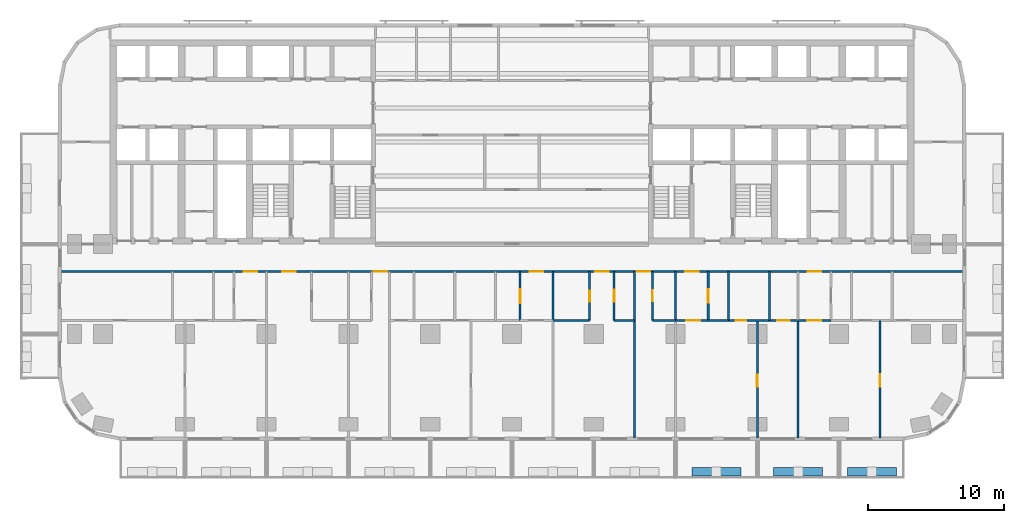
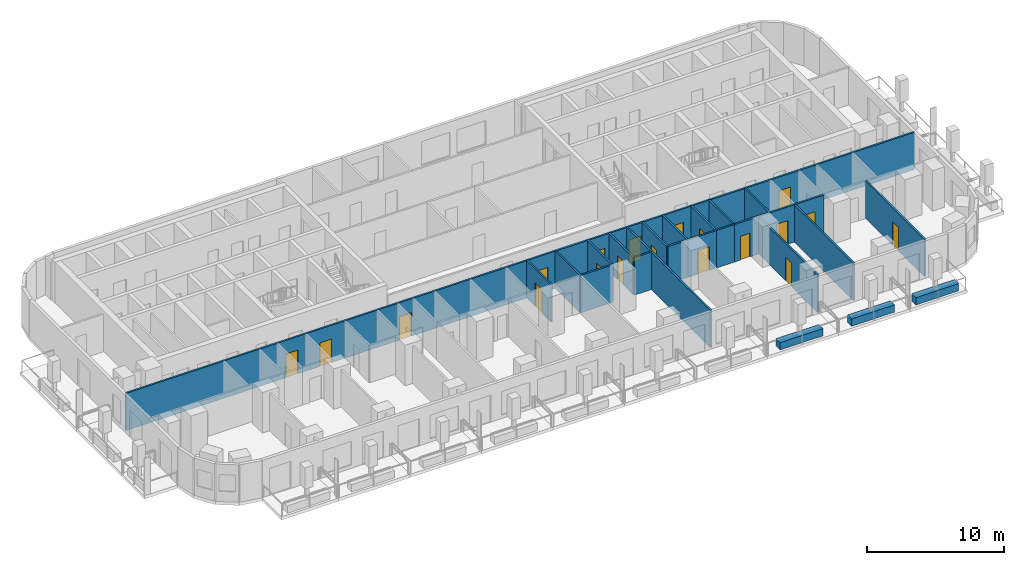
# One storey, part 6 of 15: 24 walls, 19 doors, 19 openings.
"""IFC4 building model written with IfcOpenShell, lengths in metres."""

from ifc_helpers import new_model, si_unit, direction, frame, frame_2d, origin, place, context, subcontext, project, spatial, rectangle, extrude, material, layer, layer_set, type_object, element, fill, save


model = new_model("IFC4")

# Units and contexts
model_context = context("Model", 3, precision=1e-05, world=origin(), true_north=direction((0.0, 1.0)))
body_context = subcontext(model_context, "Body", "Model", "MODEL_VIEW")
ifc_project = project(units=[si_unit("LENGTHUNIT", "METRE"), si_unit("AREAUNIT", "SQUARE_METRE"), si_unit("VOLUMEUNIT", "CUBIC_METRE"), si_unit("PLANEANGLEUNIT", "RADIAN"), si_unit("MASSUNIT", "GRAM", prefix="KILO")], contexts=[model_context])

# Site, building, storey
site_placement = place(None, origin())
site = spatial("IfcSite", under=ifc_project, at=site_placement, CompositionType="ELEMENT")
building_placement = place(site_placement, origin())
building = spatial("IfcBuilding", under=site, at=building_placement, Name="Torana Hotel and Residences", CompositionType="ELEMENT")
storey_placement = place(building_placement, frame((0.0, 0.0, 88.800048828125)))
storey = spatial("IfcBuildingStorey", under=building, at=storey_placement, Name="L22", CompositionType="ELEMENT", Elevation=88.800048828125)

# Wall, opening, door
ifc_material_1 = material(Name="Gypsum plaster")
ifc_layer_1 = layer(ifc_material_1, 0.014892578125, Name="Plaster", Category="finish")
ifc_material_2 = material(Name="Concrete blockwork", Category="masonry")
ifc_layer_2 = layer(ifc_material_2, 0.1201171875, Name="Blockwork", Category="structure")
ifc_layer_3 = layer(ifc_material_1, 0.014892578125, Name="Plaster", Category="finish")
ifc_layer_set_1 = layer_set([ifc_layer_1, ifc_layer_2, ifc_layer_3], Name="FIRE PARTITION 150 BLOCKWORK")
wall_type_1 = type_object("IfcWallType", Name="FIRE PARTITION 150 BLOCKWORK", PredefinedType="PARTITIONING", material=ifc_layer_set_1)
wall_1_placement = place(storey_placement, frame((14.39990234375, -20.60009765625, 0.0), z_axis=(0.0, 0.0, 1.0), x_axis=(0.0, 1.0, 0.0)))
wall_1 = element("IfcWall", 1, at=wall_1_placement, inside=storey, type_object=wall_type_1, Name="Partition L22", PredefinedType="PARTITIONING", context=body_context, shape_type="SweptSolid", body=[
    extrude(rectangle(XDim=3.60009765625, YDim=0.14990234375, at=frame_2d((1.800048828125, 0.0))), origin(), (0.0, 0.0, 1.0), 3.320068359375),
])
opening_1_placement = place(wall_1_placement, frame((1.300048828125, 0.0, 0.0)))
opening_1 = element("IfcOpeningElement", 2, at=opening_1_placement, cuts=wall_1, Name="Opening L22-69", PredefinedType="OPENING", context=body_context, shape_type="SweptSolid", body=[
    extrude(rectangle(XDim=1.0, YDim=2.10009765625, at=frame_2d((0.5, 1.050048828125))), frame((0.0, 0.0849609375, 0.0), z_axis=(0.0, -1.0, 0.0), x_axis=(1.0, 0.0, 0.0)), (0.0, 0.0, 1.0), 0.169921875),
])
ifc_material_3 = material(Name="Steel S235", Category="steel")
door_type_1 = type_object("IfcDoorType", Name="ENTRY FIRE DOOR D6 1000x2100", OperationType="SINGLE_SWING_LEFT", PredefinedType="DOOR", material=ifc_material_3)
door_1_placement = place(opening_1_placement, frame((0.5, 0.0, 0.0), z_axis=(0.0, 0.0, 1.0), x_axis=(-1.0, 0.0, 0.0)))
door_1 = element("IfcDoor", 3, at=door_1_placement, inside=storey, type_object=door_type_1, Name="Door L22", OperationType="SINGLE_SWING_LEFT", OverallHeight=2.10009765625, OverallWidth=1.0, PredefinedType="DOOR", context=body_context, shape_type="SweptSolid", body=[
    extrude(rectangle(XDim=1.0, YDim=2.10009765625, at=frame_2d((0.0, 1.050048828125))), frame((0.0, -0.02490234375, 0.0), z_axis=(0.0, 1.0, 0.0), x_axis=(-1.0, 0.0, 0.0)), (0.0, 0.0, 1.0), 0.050048828125),
])
fill(opening_1, door_1)

# Walls
for number, where, z_axis, x_axis, name in (
    (4, (12.0, -20.60009765625, 0.0), (0.0, 0.0, 1.0), (0.0, 1.0, 0.0), "Partition L22"),
    (5, (3.0, -20.60009765625, 0.0), (0.0, 0.0, 1.0), (0.0, 1.0, 0.0), "Partition L22"),
):
    element("IfcWall", number, at=place(storey_placement, frame(where, z_axis=z_axis, x_axis=x_axis)), inside=storey, type_object=wall_type_1, Name=name, PredefinedType="PARTITIONING", context=body_context, shape_type="SweptSolid", body=[
        extrude(rectangle(XDim=3.60009765625, YDim=0.14990234375, at=frame_2d((1.800048828125, 0.0))), origin(), (0.0, 0.0, 1.0), 3.320068359375),
    ])

# Wall, opening, door
wall_2_placement = place(storey_placement, frame((0.60009765625, -20.60009765625, 0.0), z_axis=(0.0, 0.0, 1.0), x_axis=(0.0, 1.0, 0.0)))
wall_2 = element("IfcWall", 6, at=wall_2_placement, inside=storey, type_object=wall_type_1, Name="Partition L22", PredefinedType="PARTITIONING", context=body_context, shape_type="SweptSolid", body=[
    extrude(rectangle(XDim=3.60009765625, YDim=0.14990234375, at=frame_2d((1.800048828125, 0.0))), origin(), (0.0, 0.0, 1.0), 3.320068359375),
])
opening_2_placement = place(wall_2_placement, frame((1.280029296875, 0.0, 0.0)))
opening_2 = element("IfcOpeningElement", 7, at=opening_2_placement, cuts=wall_2, Name="Opening L22-63", PredefinedType="OPENING", context=body_context, shape_type="SweptSolid", body=[
    extrude(rectangle(XDim=1.0, YDim=2.10009765625, at=frame_2d((0.5, 1.050048828125))), frame((0.0, 0.0849609375, 0.0), z_axis=(0.0, -1.0, 0.0), x_axis=(1.0, 0.0, 0.0)), (0.0, 0.0, 1.0), 0.169921875),
])
door_2_placement = place(opening_2_placement, origin())
door_2 = element("IfcDoor", 8, at=door_2_placement, inside=storey, type_object=door_type_1, Name="Door L22", OperationType="SINGLE_SWING_RIGHT", OverallHeight=2.10009765625, OverallWidth=1.0, PredefinedType="DOOR", context=body_context, shape_type="SweptSolid", body=[
    extrude(rectangle(XDim=1.0, YDim=2.10009765625, at=frame_2d((0.5, 1.050048828125))), frame((0.0, 0.02490234375, 0.0), z_axis=(0.0, -1.0, 0.0), x_axis=(1.0, 0.0, 0.0)), (0.0, 0.0, 1.0), 0.050048828125),
])
fill(opening_2, door_2)

wall_3_placement = place(storey_placement, frame((12.0, -20.60009765625, 0.0), z_axis=(0.0, 0.0, 1.0), x_axis=(1.0, 0.0, 0.0)))
wall_3 = element("IfcWall", 9, at=wall_3_placement, inside=storey, type_object=wall_type_1, Name="Partition L22", PredefinedType="PARTITIONING", context=body_context, shape_type="SweptSolid", body=[
    extrude(rectangle(XDim=2.39990234375, YDim=0.14990234375, at=frame_2d((1.199951171875, 0.0))), origin(), (0.0, 0.0, 1.0), 3.320068359375),
])
opening_3_placement = place(wall_3_placement, frame((0.800048828125, 0.0, 0.0)))
opening_3 = element("IfcOpeningElement", 10, at=opening_3_placement, cuts=wall_3, Name="Opening L22-70", PredefinedType="OPENING", context=body_context, shape_type="SweptSolid", body=[
    extrude(rectangle(XDim=1.0, YDim=2.10009765625, at=frame_2d((0.5, 1.050048828125))), frame((0.0, 0.0849609375, 0.0), z_axis=(0.0, -1.0, 0.0), x_axis=(1.0, 0.0, 0.0)), (0.0, 0.0, 1.0), 0.169921875),
])
door_3_placement = place(opening_3_placement, frame((0.5, 0.0, 0.0), z_axis=(0.0, 0.0, 1.0), x_axis=(-1.0, 0.0, 0.0)))
door_3 = element("IfcDoor", 11, at=door_3_placement, inside=storey, type_object=door_type_1, Name="Door L22", OperationType="SINGLE_SWING_LEFT", OverallHeight=2.10009765625, OverallWidth=1.0, PredefinedType="DOOR", context=body_context, shape_type="SweptSolid", body=[
    extrude(rectangle(XDim=1.0, YDim=2.10009765625, at=frame_2d((0.0, 1.050048828125))), frame((0.0, -0.02490234375, 0.0), z_axis=(0.0, 1.0, 0.0), x_axis=(-1.0, 0.0, 0.0)), (0.0, 0.0, 1.0), 0.050048828125),
])
fill(opening_3, door_3)

wall_4_placement = place(storey_placement, frame((21.0, -20.60009765625, 0.0), z_axis=(0.0, 0.0, 1.0), x_axis=(1.0, 0.0, 0.0)))
wall_4 = element("IfcWall", 12, at=wall_4_placement, inside=storey, type_object=wall_type_1, Name="Partition L22", PredefinedType="PARTITIONING", context=body_context, shape_type="SweptSolid", body=[
    extrude(rectangle(XDim=2.39990234375, YDim=0.14990234375, at=frame_2d((1.199951171875, 0.0))), origin(), (0.0, 0.0, 1.0), 3.320068359375),
])
opening_4_placement = place(wall_4_placement, frame((0.679931640625, 0.0, 0.0)))
opening_4 = element("IfcOpeningElement", 13, at=opening_4_placement, cuts=wall_4, Name="Opening L22-80", PredefinedType="OPENING", context=body_context, shape_type="SweptSolid", body=[
    extrude(rectangle(XDim=1.0, YDim=2.10009765625, at=frame_2d((0.5, 1.050048828125))), frame((0.0, 0.0849609375, 0.0), z_axis=(0.0, -1.0, 0.0), x_axis=(1.0, 0.0, 0.0)), (0.0, 0.0, 1.0), 0.169921875),
])
door_4_placement = place(opening_4_placement, frame((0.5, 0.0, 0.0), z_axis=(0.0, 0.0, 1.0), x_axis=(-1.0, 0.0, 0.0)))
door_4 = element("IfcDoor", 14, at=door_4_placement, inside=storey, type_object=door_type_1, Name="Door L22", OperationType="SINGLE_SWING_LEFT", OverallHeight=2.10009765625, OverallWidth=1.0, PredefinedType="DOOR", context=body_context, shape_type="SweptSolid", body=[
    extrude(rectangle(XDim=1.0, YDim=2.10009765625, at=frame_2d((0.0, 1.050048828125))), frame((0.0, -0.02490234375, 0.0), z_axis=(0.0, 1.0, 0.0), x_axis=(-1.0, 0.0, 0.0)), (0.0, 0.0, 1.0), 0.050048828125),
])
fill(opening_4, door_4)

# Wall, openings, doors
wall_5_placement = place(storey_placement, frame((-33.1201171875, -17.0, 0.0), z_axis=(0.0, 0.0, 1.0), x_axis=(1.0, 0.0, 0.0)))
wall_5 = element("IfcWall", 15, at=wall_5_placement, inside=storey, type_object=wall_type_1, Name="Partition L22", PredefinedType="PARTITIONING", context=body_context, shape_type="SweptSolid", body=[
    extrude(rectangle(XDim=66.240234375, YDim=0.14990234375, at=frame_2d((33.1201171875, 0.0))), origin(), (0.0, 0.0, 1.0), 3.320068359375),
])
opening_5_placement = place(wall_5_placement, frame((16.27001953125, 0.0, 0.0)))
opening_5 = element("IfcOpeningElement", 16, at=opening_5_placement, cuts=wall_5, Name="Opening L22-40", PredefinedType="OPENING", context=body_context, shape_type="SweptSolid", body=[
    extrude(rectangle(XDim=1.0, YDim=2.10009765625, at=frame_2d((0.5, 1.050048828125))), frame((0.0, 0.0849609375, 0.0), z_axis=(0.0, -1.0, 0.0), x_axis=(1.0, 0.0, 0.0)), (0.0, 0.0, 1.0), 0.169921875),
])
opening_6_placement = place(wall_5_placement, frame((22.969970703125, 0.0, 0.0)))
opening_6 = element("IfcOpeningElement", 17, at=opening_6_placement, cuts=wall_5, Name="Opening L22-41", PredefinedType="OPENING", context=body_context, shape_type="SweptSolid", body=[
    extrude(rectangle(XDim=1.0, YDim=2.10009765625, at=frame_2d((0.5, 1.050048828125))), frame((0.0, 0.0849609375, 0.0), z_axis=(0.0, -1.0, 0.0), x_axis=(1.0, 0.0, 0.0)), (0.0, 0.0, 1.0), 0.169921875),
])
opening_7_placement = place(wall_5_placement, frame((34.419921875, 0.0, 0.0)))
opening_7 = element("IfcOpeningElement", 18, at=opening_7_placement, cuts=wall_5, Name="Opening L22-42", PredefinedType="OPENING", context=body_context, shape_type="SweptSolid", body=[
    extrude(rectangle(XDim=1.0, YDim=2.10009765625, at=frame_2d((0.5, 1.050048828125))), frame((0.0, 0.0849609375, 0.0), z_axis=(0.0, -1.0, 0.0), x_axis=(1.0, 0.0, 0.0)), (0.0, 0.0, 1.0), 0.169921875),
])
opening_8_placement = place(wall_5_placement, frame((39.219970703125, 0.0, 0.0)))
opening_8 = element("IfcOpeningElement", 19, at=opening_8_placement, cuts=wall_5, Name="Opening L22-43", PredefinedType="OPENING", context=body_context, shape_type="SweptSolid", body=[
    extrude(rectangle(XDim=1.0, YDim=2.10009765625, at=frame_2d((0.5, 1.050048828125))), frame((0.0, 0.0849609375, 0.0), z_axis=(0.0, -1.0, 0.0), x_axis=(1.0, 0.0, 0.0)), (0.0, 0.0, 1.0), 0.169921875),
])
opening_9_placement = place(wall_5_placement, frame((42.27001953125, 0.0, 0.0)))
opening_9 = element("IfcOpeningElement", 20, at=opening_9_placement, cuts=wall_5, Name="Opening L22-44", PredefinedType="OPENING", context=body_context, shape_type="SweptSolid", body=[
    extrude(rectangle(XDim=1.0, YDim=2.10009765625, at=frame_2d((0.5, 1.050048828125))), frame((0.0, 0.0849609375, 0.0), z_axis=(0.0, -1.0, 0.0), x_axis=(1.0, 0.0, 0.0)), (0.0, 0.0, 1.0), 0.169921875),
])
opening_10_placement = place(wall_5_placement, frame((45.820068359375, 0.0, 0.0)))
opening_10 = element("IfcOpeningElement", 21, at=opening_10_placement, cuts=wall_5, Name="Opening L22-45", PredefinedType="OPENING", context=body_context, shape_type="SweptSolid", body=[
    extrude(rectangle(XDim=1.0, YDim=2.10009765625, at=frame_2d((0.5, 1.050048828125))), frame((0.0, 0.0849609375, 0.0), z_axis=(0.0, -1.0, 0.0), x_axis=(1.0, 0.0, 0.0)), (0.0, 0.0, 1.0), 0.169921875),
])
opening_11_placement = place(wall_5_placement, frame((13.419921875, 0.0, 0.0)))
opening_11 = element("IfcOpeningElement", 22, at=opening_11_placement, cuts=wall_5, Name="Opening L22-46", PredefinedType="OPENING", context=body_context, shape_type="SweptSolid", body=[
    extrude(rectangle(XDim=1.0, YDim=2.10009765625, at=frame_2d((0.5, 1.050048828125))), frame((0.0, 0.0849609375, 0.0), z_axis=(0.0, -1.0, 0.0), x_axis=(1.0, 0.0, 0.0)), (0.0, 0.0, 1.0), 0.169921875),
])
opening_12_placement = place(wall_5_placement, frame((54.820068359375, 0.0, 0.0)))
opening_12 = element("IfcOpeningElement", 23, at=opening_12_placement, cuts=wall_5, Name="Opening L22-47", PredefinedType="OPENING", context=body_context, shape_type="SweptSolid", body=[
    extrude(rectangle(XDim=1.0, YDim=2.10009765625, at=frame_2d((0.5, 1.050048828125))), frame((0.0, 0.0849609375, 0.0), z_axis=(0.0, -1.0, 0.0), x_axis=(1.0, 0.0, 0.0)), (0.0, 0.0, 1.0), 0.169921875),
])
door_5_placement = place(opening_5_placement, frame((0.5, 0.0, 0.0), z_axis=(0.0, 0.0, 1.0), x_axis=(-1.0, 0.0, 0.0)))
door_5 = element("IfcDoor", 24, at=door_5_placement, inside=storey, type_object=door_type_1, Name="Door L22", OperationType="SINGLE_SWING_LEFT", OverallHeight=2.10009765625, OverallWidth=1.0, PredefinedType="DOOR", context=body_context, shape_type="SweptSolid", body=[
    extrude(rectangle(XDim=1.0, YDim=2.10009765625, at=frame_2d((0.0, 1.050048828125))), frame((0.0, -0.02490234375, 0.0), z_axis=(0.0, 1.0, 0.0), x_axis=(-1.0, 0.0, 0.0)), (0.0, 0.0, 1.0), 0.050048828125),
])
fill(opening_5, door_5)
door_6_placement = place(opening_6_placement, frame((0.5, 0.0, 0.0), z_axis=(0.0, 0.0, 1.0), x_axis=(-1.0, 0.0, 0.0)))
door_6 = element("IfcDoor", 25, at=door_6_placement, inside=storey, type_object=door_type_1, Name="Door L22", OperationType="SINGLE_SWING_LEFT", OverallHeight=2.10009765625, OverallWidth=1.0, PredefinedType="DOOR", context=body_context, shape_type="SweptSolid", body=[
    extrude(rectangle(XDim=1.0, YDim=2.10009765625, at=frame_2d((0.0, 1.050048828125))), frame((0.0, -0.02490234375, 0.0), z_axis=(0.0, 1.0, 0.0), x_axis=(-1.0, 0.0, 0.0)), (0.0, 0.0, 1.0), 0.050048828125),
])
fill(opening_6, door_6)
door_7_placement = place(opening_7_placement, origin())
door_7 = element("IfcDoor", 26, at=door_7_placement, inside=storey, type_object=door_type_1, Name="Door L22", OperationType="SINGLE_SWING_RIGHT", OverallHeight=2.10009765625, OverallWidth=1.0, PredefinedType="DOOR", context=body_context, shape_type="SweptSolid", body=[
    extrude(rectangle(XDim=1.0, YDim=2.10009765625, at=frame_2d((0.5, 1.050048828125))), frame((0.0, 0.02490234375, 0.0), z_axis=(0.0, -1.0, 0.0), x_axis=(1.0, 0.0, 0.0)), (0.0, 0.0, 1.0), 0.050048828125),
])
fill(opening_7, door_7)
door_8_placement = place(opening_8_placement, frame((0.5, 0.0, 0.0), z_axis=(0.0, 0.0, 1.0), x_axis=(-1.0, 0.0, 0.0)))
door_8 = element("IfcDoor", 27, at=door_8_placement, inside=storey, type_object=door_type_1, Name="Door L22", OperationType="SINGLE_SWING_LEFT", OverallHeight=2.10009765625, OverallWidth=1.0, PredefinedType="DOOR", context=body_context, shape_type="SweptSolid", body=[
    extrude(rectangle(XDim=1.0, YDim=2.10009765625, at=frame_2d((0.0, 1.050048828125))), frame((0.0, -0.02490234375, 0.0), z_axis=(0.0, 1.0, 0.0), x_axis=(-1.0, 0.0, 0.0)), (0.0, 0.0, 1.0), 0.050048828125),
])
fill(opening_8, door_8)
door_9_placement = place(opening_9_placement, frame((0.5, 0.0, 0.0), z_axis=(0.0, 0.0, 1.0), x_axis=(-1.0, 0.0, 0.0)))
door_9 = element("IfcDoor", 28, at=door_9_placement, inside=storey, type_object=door_type_1, Name="Door L22", OperationType="SINGLE_SWING_LEFT", OverallHeight=2.10009765625, OverallWidth=1.0, PredefinedType="DOOR", context=body_context, shape_type="SweptSolid", body=[
    extrude(rectangle(XDim=1.0, YDim=2.10009765625, at=frame_2d((0.0, 1.050048828125))), frame((0.0, -0.02490234375, 0.0), z_axis=(0.0, 1.0, 0.0), x_axis=(-1.0, 0.0, 0.0)), (0.0, 0.0, 1.0), 0.050048828125),
])
fill(opening_9, door_9)
door_10_placement = place(opening_10_placement, origin())
door_10 = element("IfcDoor", 29, at=door_10_placement, inside=storey, type_object=door_type_1, Name="Door L22", OperationType="SINGLE_SWING_RIGHT", OverallHeight=2.10009765625, OverallWidth=1.0, PredefinedType="DOOR", context=body_context, shape_type="SweptSolid", body=[
    extrude(rectangle(XDim=1.0, YDim=2.10009765625, at=frame_2d((0.5, 1.050048828125))), frame((0.0, 0.02490234375, 0.0), z_axis=(0.0, -1.0, 0.0), x_axis=(1.0, 0.0, 0.0)), (0.0, 0.0, 1.0), 0.050048828125),
])
fill(opening_10, door_10)
door_11_placement = place(opening_11_placement, origin())
door_11 = element("IfcDoor", 30, at=door_11_placement, inside=storey, type_object=door_type_1, Name="Door L22", OperationType="SINGLE_SWING_RIGHT", OverallHeight=2.10009765625, OverallWidth=1.0, PredefinedType="DOOR", context=body_context, shape_type="SweptSolid", body=[
    extrude(rectangle(XDim=1.0, YDim=2.10009765625, at=frame_2d((0.5, 1.050048828125))), frame((0.0, 0.02490234375, 0.0), z_axis=(0.0, -1.0, 0.0), x_axis=(1.0, 0.0, 0.0)), (0.0, 0.0, 1.0), 0.050048828125),
])
fill(opening_11, door_11)
door_12_placement = place(opening_12_placement, origin())
door_12 = element("IfcDoor", 31, at=door_12_placement, inside=storey, type_object=door_type_1, Name="Door L22", OperationType="SINGLE_SWING_RIGHT", OverallHeight=2.10009765625, OverallWidth=1.0, PredefinedType="DOOR", context=body_context, shape_type="SweptSolid", body=[
    extrude(rectangle(XDim=1.0, YDim=2.10009765625, at=frame_2d((0.5, 1.050048828125))), frame((0.0, 0.02490234375, 0.0), z_axis=(0.0, -1.0, 0.0), x_axis=(1.0, 0.0, 0.0)), (0.0, 0.0, 1.0), 0.050048828125),
])
fill(opening_12, door_12)

# Wall, opening, door
ifc_material_4 = material(Name="Gypsum plasterboard")
ifc_layer_4 = layer(ifc_material_4, 0.012451171875, Name="Plasterboard", Category="finish")
ifc_layer_5 = layer(ifc_material_4, 0.012451171875, Name="Plasterboard", Category="finish")
ifc_material_5 = material(Name="Steel S280GD", Category="steel")
ifc_layer_6 = layer(ifc_material_5, 0.10009765625, Name="Steel studs with mineral wool", Category="insulation")
ifc_layer_7 = layer(ifc_material_4, 0.012451171875, Name="Plasterboard", Category="finish")
ifc_layer_8 = layer(ifc_material_4, 0.012451171875, Name="Plasterboard", Category="finish")
ifc_layer_set_2 = layer_set([ifc_layer_4, ifc_layer_5, ifc_layer_6, ifc_layer_7, ifc_layer_8], Name="PARTITION 150 PLASTERBOARD")
wall_type_2 = type_object("IfcWallType", Name="PARTITION 150 PLASTERBOARD", PredefinedType="PARTITIONING", material=ifc_layer_set_2)
wall_6_placement = place(storey_placement, frame((27.0, -29.219970703125, 0.0), z_axis=(0.0, 0.0, 1.0), x_axis=(0.0, 1.0, 0.0)))
wall_6 = element("IfcWall", 32, at=wall_6_placement, inside=storey, type_object=wall_type_2, Name="Partition L22", PredefinedType="PARTITIONING", context=body_context, shape_type="SweptSolid", body=[
    extrude(rectangle(XDim=8.619873046875, YDim=0.14990234375, at=frame_2d((4.31005859375, 0.0))), origin(), (0.0, 0.0, 1.0), 3.320068359375),
])
opening_13_placement = place(wall_6_placement, frame((3.77001953125, 0.0, 0.0)))
opening_13 = element("IfcOpeningElement", 33, at=opening_13_placement, cuts=wall_6, Name="Opening L22-83", PredefinedType="OPENING", context=body_context, shape_type="SweptSolid", body=[
    extrude(rectangle(XDim=0.89990234375, YDim=2.10009765625, at=frame_2d((0.449951171875, 1.050048828125))), frame((0.0, 0.0849609375, 0.0), z_axis=(0.0, -1.0, 0.0), x_axis=(1.0, 0.0, 0.0)), (0.0, 0.0, 1.0), 0.169921875),
])
ifc_material_6 = material(Name="Timber door, oiled ash", Category="wood")
door_type_2 = type_object("IfcDoorType", Name="ROOM DOOR D7 900x2100", OperationType="SINGLE_SWING_LEFT", PredefinedType="DOOR", material=ifc_material_6)
door_13_placement = place(opening_13_placement, origin())
door_13 = element("IfcDoor", 34, at=door_13_placement, inside=storey, type_object=door_type_2, Name="Door L22", OperationType="SINGLE_SWING_RIGHT", OverallHeight=2.10009765625, OverallWidth=0.89990234375, PredefinedType="DOOR", context=body_context, shape_type="SweptSolid", body=[
    extrude(rectangle(XDim=0.89990234375, YDim=2.10009765625, at=frame_2d((0.449951171875, 1.050048828125))), frame((0.0, 0.02490234375, 0.0), z_axis=(0.0, -1.0, 0.0), x_axis=(1.0, 0.0, 0.0)), (0.0, 0.0, 1.0), 0.050048828125),
])
fill(opening_13, door_13)

# Walls
wall_7_placement = place(storey_placement, frame((21.0, -29.219970703125, 0.0), z_axis=(0.0, 0.0, 1.0), x_axis=(0.0, 1.0, 0.0)))
element("IfcWall", 35, at=wall_7_placement, inside=storey, type_object=wall_type_2, Name="Partition L22", PredefinedType="PARTITIONING", context=body_context, shape_type="SweptSolid", body=[
    extrude(rectangle(XDim=8.619873046875, YDim=0.14990234375, at=frame_2d((4.31005859375, 0.0))), origin(), (0.0, 0.0, 1.0), 3.320068359375),
])
wall_8_placement = place(storey_placement, frame((18.89990234375, -20.60009765625, 0.0), z_axis=(0.0, 0.0, 1.0), x_axis=(0.0, 1.0, 0.0)))
element("IfcWall", 36, at=wall_8_placement, inside=storey, type_object=wall_type_2, Name="Partition L22", PredefinedType="PARTITIONING", context=body_context, shape_type="SweptSolid", body=[
    extrude(rectangle(XDim=3.60009765625, YDim=0.14990234375, at=frame_2d((1.800048828125, 0.0))), origin(), (0.0, 0.0, 1.0), 3.320068359375),
])

# Wall, opening, door
wall_9_placement = place(storey_placement, frame((18.0, -29.219970703125, 0.0), z_axis=(0.0, 0.0, 1.0), x_axis=(0.0, 1.0, 0.0)))
wall_9 = element("IfcWall", 37, at=wall_9_placement, inside=storey, type_object=wall_type_2, Name="Partition L22", PredefinedType="PARTITIONING", context=body_context, shape_type="SweptSolid", body=[
    extrude(rectangle(XDim=8.619873046875, YDim=0.14990234375, at=frame_2d((4.31005859375, 0.0))), origin(), (0.0, 0.0, 1.0), 3.320068359375),
])
opening_14_placement = place(wall_9_placement, frame((3.75, 0.0, 0.0)))
opening_14 = element("IfcOpeningElement", 38, at=opening_14_placement, cuts=wall_9, Name="Opening L22-73", PredefinedType="OPENING", context=body_context, shape_type="SweptSolid", body=[
    extrude(rectangle(XDim=0.89990234375, YDim=2.10009765625, at=frame_2d((0.449951171875, 1.050048828125))), frame((0.0, 0.0849609375, 0.0), z_axis=(0.0, -1.0, 0.0), x_axis=(1.0, 0.0, 0.0)), (0.0, 0.0, 1.0), 0.169921875),
])
door_14_placement = place(opening_14_placement, origin())
door_14 = element("IfcDoor", 39, at=door_14_placement, inside=storey, type_object=door_type_2, Name="Door L22", OperationType="SINGLE_SWING_RIGHT", OverallHeight=2.10009765625, OverallWidth=0.89990234375, PredefinedType="DOOR", context=body_context, shape_type="SweptSolid", body=[
    extrude(rectangle(XDim=0.89990234375, YDim=2.10009765625, at=frame_2d((0.449951171875, 1.050048828125))), frame((0.0, 0.02490234375, 0.0), z_axis=(0.0, -1.0, 0.0), x_axis=(1.0, 0.0, 0.0)), (0.0, 0.0, 1.0), 0.050048828125),
])
fill(opening_14, door_14)

wall_10_placement = place(storey_placement, frame((10.300048828125, -20.60009765625, 0.0), z_axis=(0.0, 0.0, 1.0), x_axis=(0.0, 1.0, 0.0)))
wall_10 = element("IfcWall", 40, at=wall_10_placement, inside=storey, type_object=wall_type_2, Name="Partition L22", PredefinedType="PARTITIONING", context=body_context, shape_type="SweptSolid", body=[
    extrude(rectangle(XDim=3.60009765625, YDim=0.14990234375, at=frame_2d((1.800048828125, 0.0))), origin(), (0.0, 0.0, 1.0), 3.320068359375),
])
opening_15_placement = place(wall_10_placement, frame((1.419921875, 0.0, 0.0)))
opening_15 = element("IfcOpeningElement", 41, at=opening_15_placement, cuts=wall_10, Name="Opening L22-68", PredefinedType="OPENING", context=body_context, shape_type="SweptSolid", body=[
    extrude(rectangle(XDim=0.800048828125, YDim=2.10009765625, at=frame_2d((0.39990234375, 1.050048828125))), frame((0.0, 0.0849609375, 0.0), z_axis=(0.0, -1.0, 0.0), x_axis=(1.0, 0.0, 0.0)), (0.0, 0.0, 1.0), 0.169921875),
])
ifc_material_7 = material(Name="Timber door, painted", Category="wood")
door_type_3 = type_object("IfcDoorType", Name="BATH DOOR D13 800x2100", OperationType="SINGLE_SWING_LEFT", PredefinedType="DOOR", material=ifc_material_7)
door_15_placement = place(opening_15_placement, origin())
door_15 = element("IfcDoor", 42, at=door_15_placement, inside=storey, type_object=door_type_3, Name="Door L22", OperationType="SINGLE_SWING_LEFT", OverallHeight=2.10009765625, OverallWidth=0.800048828125, PredefinedType="DOOR", context=body_context, shape_type="SweptSolid", body=[
    extrude(rectangle(XDim=0.800048828125, YDim=2.10009765625, at=frame_2d((0.39990234375, 1.050048828125))), frame((0.0, 0.02490234375, 0.0), z_axis=(0.0, -1.0, 0.0), x_axis=(1.0, 0.0, 0.0)), (0.0, 0.0, 1.0), 0.050048828125),
])
fill(opening_15, door_15)

# Wall
wall_11_placement = place(storey_placement, frame((9.0, -29.219970703125, 0.0), z_axis=(0.0, 0.0, 1.0), x_axis=(0.0, 1.0, 0.0)))
element("IfcWall", 43, at=wall_11_placement, inside=storey, type_object=wall_type_2, Name="Partition L22", PredefinedType="PARTITIONING", context=body_context, shape_type="SweptSolid", body=[
    extrude(rectangle(XDim=12.219970703125, YDim=0.14990234375, at=frame_2d((6.10986328125, 0.0))), origin(), (0.0, 0.0, 1.0), 3.320068359375),
])

# Wall, opening, door
wall_12_placement = place(storey_placement, frame((7.5, -20.60009765625, 0.0), z_axis=(0.0, 0.0, 1.0), x_axis=(0.0, 1.0, 0.0)))
wall_12 = element("IfcWall", 44, at=wall_12_placement, inside=storey, type_object=wall_type_2, Name="Partition L22", PredefinedType="PARTITIONING", context=body_context, shape_type="SweptSolid", body=[
    extrude(rectangle(XDim=3.60009765625, YDim=0.14990234375, at=frame_2d((1.800048828125, 0.0))), origin(), (0.0, 0.0, 1.0), 3.320068359375),
])
opening_16_placement = place(wall_12_placement, frame((1.3701171875, 0.0, 0.0)))
opening_16 = element("IfcOpeningElement", 45, at=opening_16_placement, cuts=wall_12, Name="Opening L22-67", PredefinedType="OPENING", context=body_context, shape_type="SweptSolid", body=[
    extrude(rectangle(XDim=0.89990234375, YDim=2.10009765625, at=frame_2d((0.449951171875, 1.050048828125))), frame((0.0, 0.0849609375, 0.0), z_axis=(0.0, -1.0, 0.0), x_axis=(1.0, 0.0, 0.0)), (0.0, 0.0, 1.0), 0.169921875),
])
door_16_placement = place(opening_16_placement, origin())
door_16 = element("IfcDoor", 46, at=door_16_placement, inside=storey, type_object=door_type_2, Name="Door L22", OperationType="SINGLE_SWING_LEFT", OverallHeight=2.10009765625, OverallWidth=0.89990234375, PredefinedType="DOOR", context=body_context, shape_type="SweptSolid", body=[
    extrude(rectangle(XDim=0.89990234375, YDim=2.10009765625, at=frame_2d((0.449951171875, 1.050048828125))), frame((0.0, 0.02490234375, 0.0), z_axis=(0.0, -1.0, 0.0), x_axis=(1.0, 0.0, 0.0)), (0.0, 0.0, 1.0), 0.050048828125),
])
fill(opening_16, door_16)

wall_13_placement = place(storey_placement, frame((5.699951171875, -20.60009765625, 0.0), z_axis=(0.0, 0.0, 1.0), x_axis=(0.0, 1.0, 0.0)))
wall_13 = element("IfcWall", 47, at=wall_13_placement, inside=storey, type_object=wall_type_2, Name="Partition L22", PredefinedType="PARTITIONING", context=body_context, shape_type="SweptSolid", body=[
    extrude(rectangle(XDim=3.60009765625, YDim=0.14990234375, at=frame_2d((1.800048828125, 0.0))), origin(), (0.0, 0.0, 1.0), 3.320068359375),
])
opening_17_placement = place(wall_13_placement, frame((1.3798828125, 0.0, 0.0)))
opening_17 = element("IfcOpeningElement", 48, at=opening_17_placement, cuts=wall_13, Name="Opening L22-66", PredefinedType="OPENING", context=body_context, shape_type="SweptSolid", body=[
    extrude(rectangle(XDim=0.800048828125, YDim=2.10009765625, at=frame_2d((0.39990234375, 1.050048828125))), frame((0.0, 0.0849609375, 0.0), z_axis=(0.0, -1.0, 0.0), x_axis=(1.0, 0.0, 0.0)), (0.0, 0.0, 1.0), 0.169921875),
])
door_17_placement = place(opening_17_placement, origin())
door_17 = element("IfcDoor", 49, at=door_17_placement, inside=storey, type_object=door_type_3, Name="Door L22", OperationType="SINGLE_SWING_RIGHT", OverallHeight=2.10009765625, OverallWidth=0.800048828125, PredefinedType="DOOR", context=body_context, shape_type="SweptSolid", body=[
    extrude(rectangle(XDim=0.800048828125, YDim=2.10009765625, at=frame_2d((0.39990234375, 1.050048828125))), frame((0.0, 0.02490234375, 0.0), z_axis=(0.0, -1.0, 0.0), x_axis=(1.0, 0.0, 0.0)), (0.0, 0.0, 1.0), 0.050048828125),
])
fill(opening_17, door_17)

# Walls
wall_14_placement = place(storey_placement, frame((3.0, -20.60009765625, 0.0), z_axis=(0.0, 0.0, 1.0), x_axis=(1.0, 0.0, 0.0)))
element("IfcWall", 50, at=wall_14_placement, inside=storey, type_object=wall_type_2, Name="Partition L22", PredefinedType="PARTITIONING", context=body_context, shape_type="SweptSolid", body=[
    extrude(rectangle(XDim=2.699951171875, YDim=0.14990234375, at=frame_2d((1.35009765625, 0.0))), origin(), (0.0, 0.0, 1.0), 3.320068359375),
])
wall_15_placement = place(storey_placement, frame((7.5, -20.60009765625, 0.0), z_axis=(0.0, 0.0, 1.0), x_axis=(1.0, 0.0, 0.0)))
element("IfcWall", 51, at=wall_15_placement, inside=storey, type_object=wall_type_2, Name="Partition L22", PredefinedType="PARTITIONING", context=body_context, shape_type="SweptSolid", body=[
    extrude(rectangle(XDim=1.5, YDim=0.14990234375, at=frame_2d((0.75, 0.0))), origin(), (0.0, 0.0, 1.0), 3.320068359375),
])
wall_16_placement = place(storey_placement, frame((10.300048828125, -20.60009765625, 0.0), z_axis=(0.0, 0.0, 1.0), x_axis=(1.0, 0.0, 0.0)))
element("IfcWall", 52, at=wall_16_placement, inside=storey, type_object=wall_type_2, Name="Partition L22", PredefinedType="PARTITIONING", context=body_context, shape_type="SweptSolid", body=[
    extrude(rectangle(XDim=1.699951171875, YDim=0.14990234375, at=frame_2d((0.85009765625, 0.0))), origin(), (0.0, 0.0, 1.0), 3.320068359375),
])

# Wall, openings, doors
wall_17_placement = place(storey_placement, frame((15.89990234375, -20.60009765625, 0.0), z_axis=(0.0, 0.0, 1.0), x_axis=(1.0, 0.0, 0.0)))
wall_17 = element("IfcWall", 53, at=wall_17_placement, inside=storey, type_object=wall_type_2, Name="Partition L22", PredefinedType="PARTITIONING", context=body_context, shape_type="SweptSolid", body=[
    extrude(rectangle(XDim=5.10009765625, YDim=0.14990234375, at=frame_2d((2.550048828125, 0.0))), origin(), (0.0, 0.0, 1.0), 3.320068359375),
])
opening_18_placement = place(wall_17_placement, frame((0.5, 0.0, 0.0)))
opening_18 = element("IfcOpeningElement", 54, at=opening_18_placement, cuts=wall_17, Name="Opening L22-71", PredefinedType="OPENING", context=body_context, shape_type="SweptSolid", body=[
    extrude(rectangle(XDim=0.800048828125, YDim=2.10009765625, at=frame_2d((0.39990234375, 1.050048828125))), frame((0.0, 0.0849609375, 0.0), z_axis=(0.0, -1.0, 0.0), x_axis=(1.0, 0.0, 0.0)), (0.0, 0.0, 1.0), 0.169921875),
])
opening_19_placement = place(wall_17_placement, frame((3.580078125, 0.0, 0.0)))
opening_19 = element("IfcOpeningElement", 55, at=opening_19_placement, cuts=wall_17, Name="Opening L22-72", PredefinedType="OPENING", context=body_context, shape_type="SweptSolid", body=[
    extrude(rectangle(XDim=0.89990234375, YDim=2.10009765625, at=frame_2d((0.449951171875, 1.050048828125))), frame((0.0, 0.0849609375, 0.0), z_axis=(0.0, -1.0, 0.0), x_axis=(1.0, 0.0, 0.0)), (0.0, 0.0, 1.0), 0.169921875),
])
door_18_placement = place(opening_18_placement, origin())
door_18 = element("IfcDoor", 56, at=door_18_placement, inside=storey, type_object=door_type_3, Name="Door L22", OperationType="SINGLE_SWING_RIGHT", OverallHeight=2.10009765625, OverallWidth=0.800048828125, PredefinedType="DOOR", context=body_context, shape_type="SweptSolid", body=[
    extrude(rectangle(XDim=0.800048828125, YDim=2.10009765625, at=frame_2d((0.39990234375, 1.050048828125))), frame((0.0, 0.02490234375, 0.0), z_axis=(0.0, -1.0, 0.0), x_axis=(1.0, 0.0, 0.0)), (0.0, 0.0, 1.0), 0.050048828125),
])
fill(opening_18, door_18)
door_19_placement = place(opening_19_placement, origin())
door_19 = element("IfcDoor", 57, at=door_19_placement, inside=storey, type_object=door_type_2, Name="Door L22", OperationType="SINGLE_SWING_RIGHT", OverallHeight=2.10009765625, OverallWidth=0.89990234375, PredefinedType="DOOR", context=body_context, shape_type="SweptSolid", body=[
    extrude(rectangle(XDim=0.89990234375, YDim=2.10009765625, at=frame_2d((0.449951171875, 1.050048828125))), frame((0.0, 0.02490234375, 0.0), z_axis=(0.0, -1.0, 0.0), x_axis=(1.0, 0.0, 0.0)), (0.0, 0.0, 1.0), 0.050048828125),
])
fill(opening_19, door_19)

# Walls
ifc_material_8 = material(Name="Concrete C40/50 precast", Category="concrete")
ifc_layer_9 = layer(ifc_material_8, 0.10009765625, Name="Planter shell", Category="structure")
ifc_material_9 = material(Name="Root resistant membrane")
ifc_layer_10 = layer(ifc_material_9, 0.00390625, Name="Waterproofing membrane", Category="membrane")
ifc_material_10 = material(Name="Drainage board with filter fleece")
ifc_layer_11 = layer(ifc_material_10, 0.02001953125, Name="Drainage board", Category="drainage")
ifc_material_11 = material(Name="Growing medium")
ifc_layer_12 = layer(ifc_material_11, 0.47607421875, Name="Planting substrate", Category="soil")
ifc_layer_set_3 = layer_set([ifc_layer_9, ifc_layer_10, ifc_layer_11, ifc_layer_12], Name="PL1 BALCONY PLANTER 600")
wall_type_3 = type_object("IfcWallType", Name="PL1 BALCONY PLANTER 600", PredefinedType="USERDEFINED", material=ifc_layer_set_3)
for number, where, z_axis, x_axis, name in (
    (58, (16.800048828125, -31.699951171875, 0.0), (0.0, 0.0, 1.0), (-1.0, 0.0, 0.0), "Planter 08"),
    (59, (22.800048828125, -31.699951171875, 0.0), (0.0, 0.0, 1.0), (-1.0, 0.0, 0.0), "Planter 09"),
):
    element("IfcWall", number, at=place(storey_placement, frame(where, z_axis=z_axis, x_axis=x_axis)), inside=storey, type_object=wall_type_3, Name=name, ObjectType="PLANTER", PredefinedType="USERDEFINED", context=body_context, shape_type="SweptSolid", body=[
        extrude(rectangle(XDim=3.60009765625, YDim=0.60009765625, at=frame_2d((1.800048828125, 0.0))), origin(), (0.0, 0.0, 1.0), 0.64990234375),
    ])
wall_18_placement = place(storey_placement, frame((28.199951171875, -31.699951171875, 0.0), z_axis=(0.0, 0.0, 1.0), x_axis=(-1.0, 0.0, 0.0)))
element("IfcWall", 60, at=wall_18_placement, inside=storey, type_object=wall_type_3, Name="Planter 10", ObjectType="PLANTER", PredefinedType="USERDEFINED", context=body_context, shape_type="SweptSolid", body=[
    extrude(rectangle(XDim=3.599853515625, YDim=0.60009765625, at=frame_2d((1.7998046875, 0.0))), origin(), (0.0, 0.0, 1.0), 0.64990234375),
])
ifc_material_12 = material(Name="Ceramic tile on adhesive")
ifc_layer_13 = layer(ifc_material_12, 0.010009765625, Name="Wall tile", Category="finish")
ifc_material_13 = material(Name="Cement render")
ifc_layer_14 = layer(ifc_material_13, 0.010009765625, Name="Render", Category="finish")
ifc_layer_15 = layer(ifc_material_2, 0.110107421875, Name="Blockwork", Category="structure")
ifc_layer_16 = layer(ifc_material_13, 0.010009765625, Name="Render", Category="finish")
ifc_layer_17 = layer(ifc_material_12, 0.010009765625, Name="Wall tile", Category="finish")
ifc_layer_set_4 = layer_set([ifc_layer_13, ifc_layer_14, ifc_layer_15, ifc_layer_16, ifc_layer_17], Name="WC PARTITION 150")
wall_type_4 = type_object("IfcWallType", Name="WC PARTITION 150", PredefinedType="PLUMBINGWALL", material=ifc_layer_set_4)
wall_19_placement = place(storey_placement, frame((15.89990234375, -20.60009765625, 0.0), z_axis=(0.0, 0.0, 1.0), x_axis=(0.0, 1.0, 0.0)))
element("IfcWall", 61, at=wall_19_placement, inside=storey, type_object=wall_type_4, Name="Partition L22", PredefinedType="PLUMBINGWALL", context=body_context, shape_type="SweptSolid", body=[
    extrude(rectangle(XDim=3.60009765625, YDim=0.14990234375, at=frame_2d((1.800048828125, 0.0))), origin(), (0.0, 0.0, 1.0), 3.320068359375),
])
wall_20_placement = place(storey_placement, frame((14.39990234375, -20.60009765625, 0.0), z_axis=(0.0, 0.0, 1.0), x_axis=(1.0, 0.0, 0.0)))
element("IfcWall", 62, at=wall_20_placement, inside=storey, type_object=wall_type_4, Name="Partition L22", PredefinedType="PLUMBINGWALL", context=body_context, shape_type="SweptSolid", body=[
    extrude(rectangle(XDim=1.5, YDim=0.14990234375, at=frame_2d((0.75, 0.0))), origin(), (0.0, 0.0, 1.0), 3.320068359375),
])

save(model, "model.ifc")
